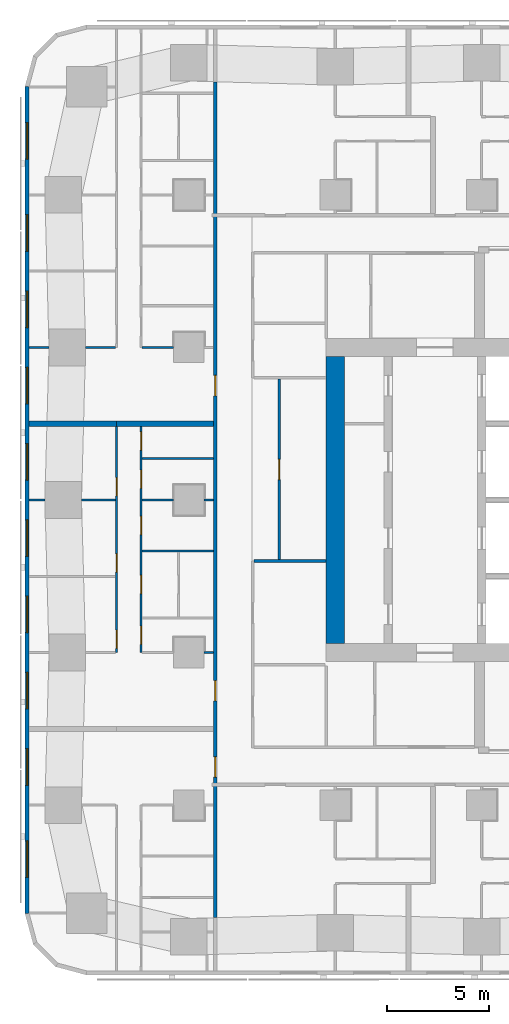
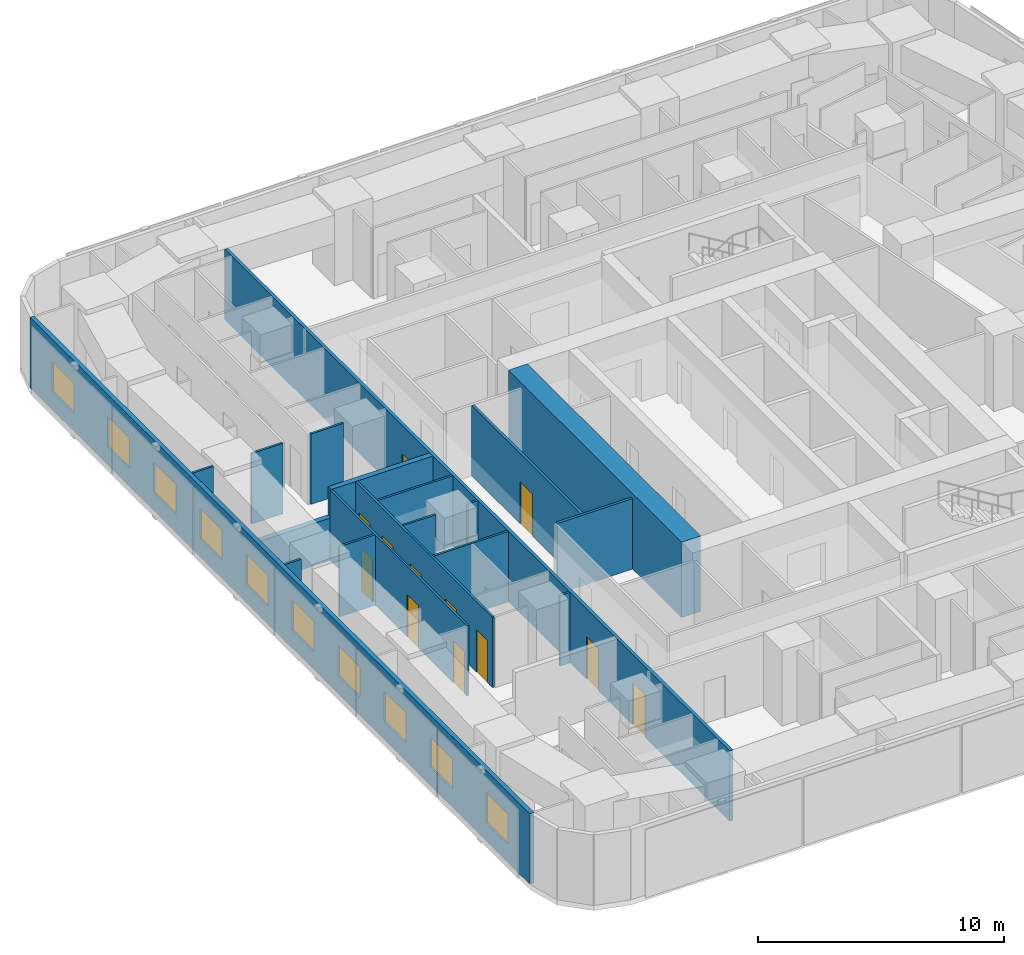
# One storey, part 5 of 15: 19 walls, 12 doors, 10 windows, 22 openings.
"""IFC4 building model written with IfcOpenShell, lengths in metres."""

from ifc_helpers import new_model, si_unit, direction, frame, frame_2d, origin, place, context, subcontext, project, spatial, rectangle, extrude, material, layer, layer_set, type_object, element, fill, save


model = new_model("IFC4")

# Units and contexts
model_context = context("Model", 3, precision=1e-05, world=origin(), true_north=direction((0.0, 1.0)))
body_context = subcontext(model_context, "Body", "Model", "MODEL_VIEW")
ifc_project = project(units=[si_unit("LENGTHUNIT", "METRE"), si_unit("AREAUNIT", "SQUARE_METRE"), si_unit("VOLUMEUNIT", "CUBIC_METRE"), si_unit("PLANEANGLEUNIT", "RADIAN"), si_unit("MASSUNIT", "GRAM", prefix="KILO")], contexts=[model_context])

# Site, building, storey
site_placement = place(None, origin())
site = spatial("IfcSite", under=ifc_project, at=site_placement, CompositionType="ELEMENT")
building_placement = place(site_placement, origin())
building = spatial("IfcBuilding", under=site, at=building_placement, Name="Sheger Commons Tower", CompositionType="ELEMENT")
storey_placement = place(building_placement, frame((0.0, 0.0, 165.800048828125)))
storey = spatial("IfcBuildingStorey", under=building, at=storey_placement, Name="L42", CompositionType="ELEMENT", Elevation=165.800048828125)

# Wall
ifc_material_1 = material(Name="Concrete C50/60", Category="concrete")
ifc_layer_1 = layer(ifc_material_1, 0.89990234375)
ifc_layer_set_1 = layer_set([ifc_layer_1], Name="CORE WALL 900")
wall_type_1 = type_object("IfcWallType", Name="CORE WALL 900", PredefinedType="SHEAR", material=ifc_layer_set_1)
wall_1_placement = place(storey_placement, frame((14.39990234375, 15.449951171875, 0.0), z_axis=(0.0, 0.0, 1.0), x_axis=(0.0, 1.0, 0.0)))
element("IfcWall", 1, at=wall_1_placement, inside=storey, type_object=wall_type_1, Name="Core wall west L42", PredefinedType="SHEAR", context=body_context, shape_type="SweptSolid", body=[
    extrude(rectangle(XDim=14.10009765625, YDim=0.89990234375, at=frame_2d((7.050048828125, 0.0))), origin(), (0.0, 0.0, 1.0), 3.75),
])

# Wall, openings, doors
ifc_material_2 = material(Name="Hollow concrete block masonry, skimmed both sides", Category="masonry")
ifc_layer_2 = layer(ifc_material_2, 0.14990234375)
ifc_layer_set_2 = layer_set([ifc_layer_2], Name="CORRIDOR WALL 150")
wall_type_2 = type_object("IfcWallType", Name="CORRIDOR WALL 150", PredefinedType="SOLIDWALL", material=ifc_layer_set_2)
wall_2_placement = place(storey_placement, frame((8.5, 1.964111328125, 0.0), z_axis=(0.0, 0.0, 1.0), x_axis=(0.0, 1.0, 0.0)))
wall_2 = element("IfcWall", 2, at=wall_2_placement, inside=storey, type_object=wall_type_2, Name="Corridor wall L42", PredefinedType="SOLIDWALL", context=body_context, shape_type="SweptSolid", body=[
    extrude(rectangle(XDim=41.096923828125, YDim=0.14990234375, at=frame_2d((20.54833984375, 0.0))), origin(), (0.0, 0.0, 1.0), 3.5),
])
opening_1_placement = place(wall_2_placement, frame((6.910888671875, 0.0, 0.0)))
opening_1 = element("IfcOpeningElement", 3, at=opening_1_placement, cuts=wall_2, Name="Opening D1", PredefinedType="OPENING", context=body_context, shape_type="SweptSolid", body=[
    extrude(rectangle(XDim=1.0, YDim=2.10009765625, at=frame_2d((0.5, 1.050048828125))), frame((0.0, 0.0849609375, 0.0), z_axis=(0.0, -1.0, 0.0), x_axis=(1.0, 0.0, 0.0)), (0.0, 0.0, 1.0), 0.169921875),
])
opening_2_placement = place(wall_2_placement, frame((10.660888671875, 0.0, 0.0)))
opening_2 = element("IfcOpeningElement", 4, at=opening_2_placement, cuts=wall_2, Name="Opening D1", PredefinedType="OPENING", context=body_context, shape_type="SweptSolid", body=[
    extrude(rectangle(XDim=1.0, YDim=2.10009765625, at=frame_2d((0.5, 1.050048828125))), frame((0.0, 0.0849609375, 0.0), z_axis=(0.0, -1.0, 0.0), x_axis=(1.0, 0.0, 0.0)), (0.0, 0.0, 1.0), 0.169921875),
])
opening_3_placement = place(wall_2_placement, frame((25.660888671875, 0.0, 0.0)))
opening_3 = element("IfcOpeningElement", 5, at=opening_3_placement, cuts=wall_2, Name="Opening D1", PredefinedType="OPENING", context=body_context, shape_type="SweptSolid", body=[
    extrude(rectangle(XDim=1.0, YDim=2.10009765625, at=frame_2d((0.5, 1.050048828125))), frame((0.0, 0.0849609375, 0.0), z_axis=(0.0, -1.0, 0.0), x_axis=(1.0, 0.0, 0.0)), (0.0, 0.0, 1.0), 0.169921875),
])
ifc_material_3 = material(Name="Steel door set, fire rated", Category="steel")
door_type_1 = type_object("IfcDoorType", Name="FLAT ENTRANCE DOOR 1000x2100", OperationType="NOTDEFINED", PredefinedType="DOOR", material=ifc_material_3)
door_1_placement = place(opening_1_placement, origin())
door_1 = element("IfcDoor", 6, at=door_1_placement, inside=storey, type_object=door_type_1, Name="Flat entrance door", OperationType="SINGLE_SWING_LEFT", OverallHeight=2.10009765625, OverallWidth=1.0, PredefinedType="DOOR", context=body_context, shape_type="SweptSolid", body=[
    extrude(rectangle(XDim=1.0, YDim=2.10009765625, at=frame_2d((0.5, 1.050048828125))), frame((0.0, 0.02490234375, 0.0), z_axis=(0.0, -1.0, 0.0), x_axis=(1.0, 0.0, 0.0)), (0.0, 0.0, 1.0), 0.050048828125),
])
fill(opening_1, door_1)
door_2_placement = place(opening_2_placement, origin())
door_2 = element("IfcDoor", 7, at=door_2_placement, inside=storey, type_object=door_type_1, Name="Flat entrance door", OperationType="SINGLE_SWING_RIGHT", OverallHeight=2.10009765625, OverallWidth=1.0, PredefinedType="DOOR", context=body_context, shape_type="SweptSolid", body=[
    extrude(rectangle(XDim=1.0, YDim=2.10009765625, at=frame_2d((0.5, 1.050048828125))), frame((0.0, 0.02490234375, 0.0), z_axis=(0.0, -1.0, 0.0), x_axis=(1.0, 0.0, 0.0)), (0.0, 0.0, 1.0), 0.050048828125),
])
fill(opening_2, door_2)
door_3_placement = place(opening_3_placement, origin())
door_3 = element("IfcDoor", 8, at=door_3_placement, inside=storey, type_object=door_type_1, Name="Flat entrance door", OperationType="SINGLE_SWING_LEFT", OverallHeight=2.10009765625, OverallWidth=1.0, PredefinedType="DOOR", context=body_context, shape_type="SweptSolid", body=[
    extrude(rectangle(XDim=1.0, YDim=2.10009765625, at=frame_2d((0.5, 1.050048828125))), frame((0.0, 0.02490234375, 0.0), z_axis=(0.0, -1.0, 0.0), x_axis=(1.0, 0.0, 0.0)), (0.0, 0.0, 1.0), 0.050048828125),
])
fill(opening_3, door_3)

# Walls
ifc_material_4 = material(Name="Dense concrete block masonry, plastered both sides (separating wall between flats)", Category="masonry")
ifc_layer_3 = layer(ifc_material_4, 0.25)
ifc_layer_set_3 = layer_set([ifc_layer_3], Name="DEMISING WALL 250")
wall_type_3 = type_object("IfcWallType", Name="DEMISING WALL 250", PredefinedType="SOLIDWALL", material=ifc_layer_set_3)
wall_3_placement = place(storey_placement, frame((-0.64990234375, 26.25, 0.0), z_axis=(0.0, 0.0, 1.0), x_axis=(1.0, 0.0, 0.0)))
element("IfcWall", 9, at=wall_3_placement, inside=storey, type_object=wall_type_3, Name="Demising wall L42", PredefinedType="SOLIDWALL", context=body_context, shape_type="SweptSolid", body=[
    extrude(rectangle(XDim=4.2998046875, YDim=0.25, at=frame_2d((2.14990234375, 0.0))), origin(), (0.0, 0.0, 1.0), 2.099853515625),
])
wall_4_placement = place(storey_placement, frame((3.64990234375, 26.25, 0.0), z_axis=(0.0, 0.0, 1.0), x_axis=(1.0, 0.0, 0.0)))
element("IfcWall", 10, at=wall_4_placement, inside=storey, type_object=wall_type_3, Name="Demising wall L42", PredefinedType="SOLIDWALL", context=body_context, shape_type="SweptSolid", body=[
    extrude(rectangle(XDim=4.775146484375, YDim=0.25, at=frame_2d((2.3876953125, 0.0))), origin(), (0.0, 0.0, 1.0), 3.5),
])

# Wall, openings, windows
ifc_material_5 = material(Name="Rendered concrete block masonry, dark grey", Category="masonry")
ifc_layer_4 = layer(ifc_material_5, 0.199951171875)
ifc_layer_set_4 = layer_set([ifc_layer_4], Name="FACADE WALL 200")
wall_type_4 = type_object("IfcWallType", Name="FACADE WALL 200", PredefinedType="SOLIDWALL", material=ifc_layer_set_4)
wall_5_placement = place(storey_placement, frame((-0.75, 42.8369140625, 0.0), z_axis=(0.0, 0.0, 1.0), x_axis=(0.0, -1.0, 0.0)))
wall_5 = element("IfcWall", 11, at=wall_5_placement, inside=storey, type_object=wall_type_4, Name="Facade wall L42", PredefinedType="SOLIDWALL", context=body_context, shape_type="SweptSolid", body=[
    extrude(rectangle(XDim=40.673828125, YDim=0.199951171875, at=frame_2d((20.3369140625, 0.0))), origin(), (0.0, 0.0, 1.0), 3.5),
])
opening_4_placement = place(wall_5_placement, frame((1.780029296875, 0.0, 0.89990234375)))
opening_4 = element("IfcOpeningElement", 12, at=opening_4_placement, cuts=wall_5, Name="Opening W2", PredefinedType="OPENING", context=body_context, shape_type="SweptSolid", body=[
    extrude(rectangle(XDim=1.800048828125, YDim=1.5, at=frame_2d((0.89990234375, 0.75))), frame((0.0, 0.10986328125, 0.0), z_axis=(0.0, -1.0, 0.0), x_axis=(1.0, 0.0, 0.0)), (0.0, 0.0, 1.0), 0.219970703125),
])
opening_5_placement = place(wall_5_placement, frame((6.31201171875, 0.0, 0.89990234375)))
opening_5 = element("IfcOpeningElement", 13, at=opening_5_placement, cuts=wall_5, Name="Opening W2", PredefinedType="OPENING", context=body_context, shape_type="SweptSolid", body=[
    extrude(rectangle(XDim=1.800048828125, YDim=1.5, at=frame_2d((0.89990234375, 0.75))), frame((0.0, 0.10986328125, 0.0), z_axis=(0.0, -1.0, 0.0), x_axis=(1.0, 0.0, 0.0)), (0.0, 0.0, 1.0), 0.219970703125),
])
opening_6_placement = place(wall_5_placement, frame((10.06201171875, 0.0, 0.89990234375)))
opening_6 = element("IfcOpeningElement", 14, at=opening_6_placement, cuts=wall_5, Name="Opening W2", PredefinedType="OPENING", context=body_context, shape_type="SweptSolid", body=[
    extrude(rectangle(XDim=1.800048828125, YDim=1.5, at=frame_2d((0.89990234375, 0.75))), frame((0.0, 0.10986328125, 0.0), z_axis=(0.0, -1.0, 0.0), x_axis=(1.0, 0.0, 0.0)), (0.0, 0.0, 1.0), 0.219970703125),
])
opening_7_placement = place(wall_5_placement, frame((13.81201171875, 0.0, 0.89990234375)))
opening_7 = element("IfcOpeningElement", 15, at=opening_7_placement, cuts=wall_5, Name="Opening W2", PredefinedType="OPENING", context=body_context, shape_type="SweptSolid", body=[
    extrude(rectangle(XDim=1.800048828125, YDim=1.5, at=frame_2d((0.89990234375, 0.75))), frame((0.0, 0.10986328125, 0.0), z_axis=(0.0, -1.0, 0.0), x_axis=(1.0, 0.0, 0.0)), (0.0, 0.0, 1.0), 0.219970703125),
])
opening_8_placement = place(wall_5_placement, frame((17.56201171875, 0.0, 0.89990234375)))
opening_8 = element("IfcOpeningElement", 16, at=opening_8_placement, cuts=wall_5, Name="Opening W2", PredefinedType="OPENING", context=body_context, shape_type="SweptSolid", body=[
    extrude(rectangle(XDim=1.800048828125, YDim=1.5, at=frame_2d((0.89990234375, 0.75))), frame((0.0, 0.10986328125, 0.0), z_axis=(0.0, -1.0, 0.0), x_axis=(1.0, 0.0, 0.0)), (0.0, 0.0, 1.0), 0.219970703125),
])
opening_9_placement = place(wall_5_placement, frame((21.31201171875, 0.0, 0.89990234375)))
opening_9 = element("IfcOpeningElement", 17, at=opening_9_placement, cuts=wall_5, Name="Opening W2", PredefinedType="OPENING", context=body_context, shape_type="SweptSolid", body=[
    extrude(rectangle(XDim=1.800048828125, YDim=1.5, at=frame_2d((0.89990234375, 0.75))), frame((0.0, 0.10986328125, 0.0), z_axis=(0.0, -1.0, 0.0), x_axis=(1.0, 0.0, 0.0)), (0.0, 0.0, 1.0), 0.219970703125),
])
opening_10_placement = place(wall_5_placement, frame((25.06201171875, 0.0, 0.89990234375)))
opening_10 = element("IfcOpeningElement", 18, at=opening_10_placement, cuts=wall_5, Name="Opening W2", PredefinedType="OPENING", context=body_context, shape_type="SweptSolid", body=[
    extrude(rectangle(XDim=1.800048828125, YDim=1.5, at=frame_2d((0.89990234375, 0.75))), frame((0.0, 0.10986328125, 0.0), z_axis=(0.0, -1.0, 0.0), x_axis=(1.0, 0.0, 0.0)), (0.0, 0.0, 1.0), 0.219970703125),
])
opening_11_placement = place(wall_5_placement, frame((28.81201171875, 0.0, 0.89990234375)))
opening_11 = element("IfcOpeningElement", 19, at=opening_11_placement, cuts=wall_5, Name="Opening W2", PredefinedType="OPENING", context=body_context, shape_type="SweptSolid", body=[
    extrude(rectangle(XDim=1.800048828125, YDim=1.5, at=frame_2d((0.89990234375, 0.75))), frame((0.0, 0.10986328125, 0.0), z_axis=(0.0, -1.0, 0.0), x_axis=(1.0, 0.0, 0.0)), (0.0, 0.0, 1.0), 0.219970703125),
])
opening_12_placement = place(wall_5_placement, frame((32.56201171875, 0.0, 0.89990234375)))
opening_12 = element("IfcOpeningElement", 20, at=opening_12_placement, cuts=wall_5, Name="Opening W2", PredefinedType="OPENING", context=body_context, shape_type="SweptSolid", body=[
    extrude(rectangle(XDim=1.800048828125, YDim=1.5, at=frame_2d((0.89990234375, 0.75))), frame((0.0, 0.10986328125, 0.0), z_axis=(0.0, -1.0, 0.0), x_axis=(1.0, 0.0, 0.0)), (0.0, 0.0, 1.0), 0.219970703125),
])
opening_13_placement = place(wall_5_placement, frame((37.093994140625, 0.0, 0.89990234375)))
opening_13 = element("IfcOpeningElement", 21, at=opening_13_placement, cuts=wall_5, Name="Opening W2", PredefinedType="OPENING", context=body_context, shape_type="SweptSolid", body=[
    extrude(rectangle(XDim=1.800048828125, YDim=1.5, at=frame_2d((0.89990234375, 0.75))), frame((0.0, 0.10986328125, 0.0), z_axis=(0.0, -1.0, 0.0), x_axis=(1.0, 0.0, 0.0)), (0.0, 0.0, 1.0), 0.219970703125),
])
ifc_material_6 = material(Name="Black aluminium frame, dark tinted double glazing", Category="aluminium")
window_type = type_object("IfcWindowType", Name="WINDOW W2 1800x1500", PartitioningType="SINGLE_PANEL", PredefinedType="WINDOW", material=ifc_material_6)
window_1_placement = place(opening_4_placement, origin())
window_1 = element("IfcWindow", 22, at=window_1_placement, inside=storey, type_object=window_type, Name="Window W2 1800X1500", OverallHeight=1.5, OverallWidth=1.800048828125, PartitioningType="SINGLE_PANEL", PredefinedType="WINDOW", context=body_context, shape_type="SweptSolid", body=[
    extrude(rectangle(XDim=1.800048828125, YDim=1.5, at=frame_2d((0.89990234375, 0.75))), frame((0.0, 0.030029296875, 0.0), z_axis=(0.0, -1.0, 0.0), x_axis=(1.0, 0.0, 0.0)), (0.0, 0.0, 1.0), 0.06005859375),
])
fill(opening_4, window_1)
window_2_placement = place(opening_5_placement, origin())
window_2 = element("IfcWindow", 23, at=window_2_placement, inside=storey, type_object=window_type, Name="Window W2 1800X1500", OverallHeight=1.5, OverallWidth=1.800048828125, PartitioningType="SINGLE_PANEL", PredefinedType="WINDOW", context=body_context, shape_type="SweptSolid", body=[
    extrude(rectangle(XDim=1.800048828125, YDim=1.5, at=frame_2d((0.89990234375, 0.75))), frame((0.0, 0.030029296875, 0.0), z_axis=(0.0, -1.0, 0.0), x_axis=(1.0, 0.0, 0.0)), (0.0, 0.0, 1.0), 0.06005859375),
])
fill(opening_5, window_2)
window_3_placement = place(opening_6_placement, origin())
window_3 = element("IfcWindow", 24, at=window_3_placement, inside=storey, type_object=window_type, Name="Window W2 1800X1500", OverallHeight=1.5, OverallWidth=1.800048828125, PartitioningType="SINGLE_PANEL", PredefinedType="WINDOW", context=body_context, shape_type="SweptSolid", body=[
    extrude(rectangle(XDim=1.800048828125, YDim=1.5, at=frame_2d((0.89990234375, 0.75))), frame((0.0, 0.030029296875, 0.0), z_axis=(0.0, -1.0, 0.0), x_axis=(1.0, 0.0, 0.0)), (0.0, 0.0, 1.0), 0.06005859375),
])
fill(opening_6, window_3)
window_4_placement = place(opening_7_placement, origin())
window_4 = element("IfcWindow", 25, at=window_4_placement, inside=storey, type_object=window_type, Name="Window W2 1800X1500", OverallHeight=1.5, OverallWidth=1.800048828125, PartitioningType="SINGLE_PANEL", PredefinedType="WINDOW", context=body_context, shape_type="SweptSolid", body=[
    extrude(rectangle(XDim=1.800048828125, YDim=1.5, at=frame_2d((0.89990234375, 0.75))), frame((0.0, 0.030029296875, 0.0), z_axis=(0.0, -1.0, 0.0), x_axis=(1.0, 0.0, 0.0)), (0.0, 0.0, 1.0), 0.06005859375),
])
fill(opening_7, window_4)
window_5_placement = place(opening_8_placement, origin())
window_5 = element("IfcWindow", 26, at=window_5_placement, inside=storey, type_object=window_type, Name="Window W2 1800X1500", OverallHeight=1.5, OverallWidth=1.800048828125, PartitioningType="SINGLE_PANEL", PredefinedType="WINDOW", context=body_context, shape_type="SweptSolid", body=[
    extrude(rectangle(XDim=1.800048828125, YDim=1.5, at=frame_2d((0.89990234375, 0.75))), frame((0.0, 0.030029296875, 0.0), z_axis=(0.0, -1.0, 0.0), x_axis=(1.0, 0.0, 0.0)), (0.0, 0.0, 1.0), 0.06005859375),
])
fill(opening_8, window_5)
window_6_placement = place(opening_9_placement, origin())
window_6 = element("IfcWindow", 27, at=window_6_placement, inside=storey, type_object=window_type, Name="Window W2 1800X1500", OverallHeight=1.5, OverallWidth=1.800048828125, PartitioningType="SINGLE_PANEL", PredefinedType="WINDOW", context=body_context, shape_type="SweptSolid", body=[
    extrude(rectangle(XDim=1.800048828125, YDim=1.5, at=frame_2d((0.89990234375, 0.75))), frame((0.0, 0.030029296875, 0.0), z_axis=(0.0, -1.0, 0.0), x_axis=(1.0, 0.0, 0.0)), (0.0, 0.0, 1.0), 0.06005859375),
])
fill(opening_9, window_6)
window_7_placement = place(opening_10_placement, origin())
window_7 = element("IfcWindow", 28, at=window_7_placement, inside=storey, type_object=window_type, Name="Window W2 1800X1500", OverallHeight=1.5, OverallWidth=1.800048828125, PartitioningType="SINGLE_PANEL", PredefinedType="WINDOW", context=body_context, shape_type="SweptSolid", body=[
    extrude(rectangle(XDim=1.800048828125, YDim=1.5, at=frame_2d((0.89990234375, 0.75))), frame((0.0, 0.030029296875, 0.0), z_axis=(0.0, -1.0, 0.0), x_axis=(1.0, 0.0, 0.0)), (0.0, 0.0, 1.0), 0.06005859375),
])
fill(opening_10, window_7)
window_8_placement = place(opening_11_placement, origin())
window_8 = element("IfcWindow", 29, at=window_8_placement, inside=storey, type_object=window_type, Name="Window W2 1800X1500", OverallHeight=1.5, OverallWidth=1.800048828125, PartitioningType="SINGLE_PANEL", PredefinedType="WINDOW", context=body_context, shape_type="SweptSolid", body=[
    extrude(rectangle(XDim=1.800048828125, YDim=1.5, at=frame_2d((0.89990234375, 0.75))), frame((0.0, 0.030029296875, 0.0), z_axis=(0.0, -1.0, 0.0), x_axis=(1.0, 0.0, 0.0)), (0.0, 0.0, 1.0), 0.06005859375),
])
fill(opening_11, window_8)
window_9_placement = place(opening_12_placement, origin())
window_9 = element("IfcWindow", 30, at=window_9_placement, inside=storey, type_object=window_type, Name="Window W2 1800X1500", OverallHeight=1.5, OverallWidth=1.800048828125, PartitioningType="SINGLE_PANEL", PredefinedType="WINDOW", context=body_context, shape_type="SweptSolid", body=[
    extrude(rectangle(XDim=1.800048828125, YDim=1.5, at=frame_2d((0.89990234375, 0.75))), frame((0.0, 0.030029296875, 0.0), z_axis=(0.0, -1.0, 0.0), x_axis=(1.0, 0.0, 0.0)), (0.0, 0.0, 1.0), 0.06005859375),
])
fill(opening_12, window_9)
window_10_placement = place(opening_13_placement, origin())
window_10 = element("IfcWindow", 31, at=window_10_placement, inside=storey, type_object=window_type, Name="Window W2 1800X1500", OverallHeight=1.5, OverallWidth=1.800048828125, PartitioningType="SINGLE_PANEL", PredefinedType="WINDOW", context=body_context, shape_type="SweptSolid", body=[
    extrude(rectangle(XDim=1.800048828125, YDim=1.5, at=frame_2d((0.89990234375, 0.75))), frame((0.0, 0.030029296875, 0.0), z_axis=(0.0, -1.0, 0.0), x_axis=(1.0, 0.0, 0.0)), (0.0, 0.0, 1.0), 0.06005859375),
])
fill(opening_13, window_10)

# Wall, openings, doors
ifc_material_7 = material(Name="Gypsum board on steel studs", Category="steel")
ifc_layer_5 = layer(ifc_material_7, 0.10009765625)
ifc_layer_set_5 = layer_set([ifc_layer_5], Name="PARTITION 100")
wall_type_5 = type_object("IfcWallType", Name="PARTITION 100", PredefinedType="PARTITIONING", material=ifc_layer_set_5)
wall_6_placement = place(storey_placement, frame((3.64990234375, 15.0, 0.0), z_axis=(0.0, 0.0, 1.0), x_axis=(0.0, 1.0, 0.0)))
wall_6 = element("IfcWall", 32, at=wall_6_placement, inside=storey, type_object=wall_type_5, Name="Partition L42", PredefinedType="PARTITIONING", context=body_context, shape_type="SweptSolid", body=[
    extrude(rectangle(XDim=11.125, YDim=0.10009765625, at=frame_2d((5.5625, 0.0))), origin(), (0.0, 0.0, 1.0), 3.5),
])
opening_14_placement = place(wall_6_placement, frame((0.199951171875, 0.0, 0.0)))
opening_14 = element("IfcOpeningElement", 33, at=opening_14_placement, cuts=wall_6, Name="Opening D2", PredefinedType="OPENING", context=body_context, shape_type="SweptSolid", body=[
    extrude(rectangle(XDim=0.89990234375, YDim=2.10009765625, at=frame_2d((0.449951171875, 1.050048828125))), frame((0.0, 0.06005859375, 0.0), z_axis=(0.0, -1.0, 0.0), x_axis=(1.0, 0.0, 0.0)), (0.0, 0.0, 1.0), 0.1201171875),
])
opening_15_placement = place(wall_6_placement, frame((3.949951171875, 0.0, 0.0)))
opening_15 = element("IfcOpeningElement", 34, at=opening_15_placement, cuts=wall_6, Name="Opening D2", PredefinedType="OPENING", context=body_context, shape_type="SweptSolid", body=[
    extrude(rectangle(XDim=0.89990234375, YDim=2.10009765625, at=frame_2d((0.449951171875, 1.050048828125))), frame((0.0, 0.06005859375, 0.0), z_axis=(0.0, -1.0, 0.0), x_axis=(1.0, 0.0, 0.0)), (0.0, 0.0, 1.0), 0.1201171875),
])
opening_16_placement = place(wall_6_placement, frame((7.699951171875, 0.0, 0.0)))
opening_16 = element("IfcOpeningElement", 35, at=opening_16_placement, cuts=wall_6, Name="Opening D2", PredefinedType="OPENING", context=body_context, shape_type="SweptSolid", body=[
    extrude(rectangle(XDim=0.89990234375, YDim=2.10009765625, at=frame_2d((0.449951171875, 1.050048828125))), frame((0.0, 0.06005859375, 0.0), z_axis=(0.0, -1.0, 0.0), x_axis=(1.0, 0.0, 0.0)), (0.0, 0.0, 1.0), 0.1201171875),
])
ifc_material_8 = material(Name="Timber door set", Category="wood")
door_type_2 = type_object("IfcDoorType", Name="INTERNAL DOOR 900x2100", OperationType="NOTDEFINED", PredefinedType="DOOR", material=ifc_material_8)
door_4_placement = place(opening_14_placement, origin())
door_4 = element("IfcDoor", 36, at=door_4_placement, inside=storey, type_object=door_type_2, Name="Main bedroom door", OperationType="SINGLE_SWING_LEFT", OverallHeight=2.10009765625, OverallWidth=0.89990234375, PredefinedType="DOOR", context=body_context, shape_type="SweptSolid", body=[
    extrude(rectangle(XDim=0.89990234375, YDim=2.10009765625, at=frame_2d((0.449951171875, 1.050048828125))), frame((0.0, 0.02490234375, 0.0), z_axis=(0.0, -1.0, 0.0), x_axis=(1.0, 0.0, 0.0)), (0.0, 0.0, 1.0), 0.050048828125),
])
fill(opening_14, door_4)
door_5_placement = place(opening_15_placement, origin())
door_5 = element("IfcDoor", 37, at=door_5_placement, inside=storey, type_object=door_type_2, Name="Bedroom 2 door", OperationType="SINGLE_SWING_LEFT", OverallHeight=2.10009765625, OverallWidth=0.89990234375, PredefinedType="DOOR", context=body_context, shape_type="SweptSolid", body=[
    extrude(rectangle(XDim=0.89990234375, YDim=2.10009765625, at=frame_2d((0.449951171875, 1.050048828125))), frame((0.0, 0.02490234375, 0.0), z_axis=(0.0, -1.0, 0.0), x_axis=(1.0, 0.0, 0.0)), (0.0, 0.0, 1.0), 0.050048828125),
])
fill(opening_15, door_5)
door_6_placement = place(opening_16_placement, origin())
door_6 = element("IfcDoor", 38, at=door_6_placement, inside=storey, type_object=door_type_2, Name="Bedroom 3 door", OperationType="SINGLE_SWING_LEFT", OverallHeight=2.10009765625, OverallWidth=0.89990234375, PredefinedType="DOOR", context=body_context, shape_type="SweptSolid", body=[
    extrude(rectangle(XDim=0.89990234375, YDim=2.10009765625, at=frame_2d((0.449951171875, 1.050048828125))), frame((0.0, 0.02490234375, 0.0), z_axis=(0.0, -1.0, 0.0), x_axis=(1.0, 0.0, 0.0)), (0.0, 0.0, 1.0), 0.050048828125),
])
fill(opening_16, door_6)

wall_7_placement = place(storey_placement, frame((4.85009765625, 15.0, 0.0), z_axis=(0.0, 0.0, 1.0), x_axis=(0.0, 1.0, 0.0)))
wall_7 = element("IfcWall", 39, at=wall_7_placement, inside=storey, type_object=wall_type_5, Name="Partition L42", PredefinedType="PARTITIONING", context=body_context, shape_type="SweptSolid", body=[
    extrude(rectangle(XDim=11.125, YDim=0.10009765625, at=frame_2d((5.5625, 0.0))), origin(), (0.0, 0.0, 1.0), 3.5),
])
opening_17_placement = place(wall_7_placement, frame((0.39990234375, 0.0, 0.0)))
opening_17 = element("IfcOpeningElement", 40, at=opening_17_placement, cuts=wall_7, Name="Opening D2", PredefinedType="OPENING", context=body_context, shape_type="SweptSolid", body=[
    extrude(rectangle(XDim=0.89990234375, YDim=2.10009765625, at=frame_2d((0.449951171875, 1.050048828125))), frame((0.0, 0.06005859375, 0.0), z_axis=(0.0, -1.0, 0.0), x_axis=(1.0, 0.0, 0.0)), (0.0, 0.0, 1.0), 0.1201171875),
])
opening_18_placement = place(wall_7_placement, frame((5.799072265625, 0.0, 0.0)))
opening_18 = element("IfcOpeningElement", 41, at=opening_18_placement, cuts=wall_7, Name="Opening D2", PredefinedType="OPENING", context=body_context, shape_type="SweptSolid", body=[
    extrude(rectangle(XDim=0.89990234375, YDim=2.10009765625, at=frame_2d((0.449951171875, 1.050048828125))), frame((0.0, 0.06005859375, 0.0), z_axis=(0.0, -1.0, 0.0), x_axis=(1.0, 0.0, 0.0)), (0.0, 0.0, 1.0), 0.1201171875),
])
opening_19_placement = place(wall_7_placement, frame((8.074951171875, 0.0, 0.0)))
opening_19 = element("IfcOpeningElement", 42, at=opening_19_placement, cuts=wall_7, Name="Opening D2", PredefinedType="OPENING", context=body_context, shape_type="SweptSolid", body=[
    extrude(rectangle(XDim=0.89990234375, YDim=2.10009765625, at=frame_2d((0.449951171875, 1.050048828125))), frame((0.0, 0.06005859375, 0.0), z_axis=(0.0, -1.0, 0.0), x_axis=(1.0, 0.0, 0.0)), (0.0, 0.0, 1.0), 0.1201171875),
])
opening_20_placement = place(wall_7_placement, frame((2.89892578125, 0.0, 0.0)))
opening_20 = element("IfcOpeningElement", 43, at=opening_20_placement, cuts=wall_7, Name="Opening D2", PredefinedType="OPENING", context=body_context, shape_type="SweptSolid", body=[
    extrude(rectangle(XDim=0.89990234375, YDim=2.10009765625, at=frame_2d((0.449951171875, 1.050048828125))), frame((0.0, 0.06005859375, 0.0), z_axis=(0.0, -1.0, 0.0), x_axis=(1.0, 0.0, 0.0)), (0.0, 0.0, 1.0), 0.1201171875),
])
opening_21_placement = place(wall_7_placement, frame((9.949951171875, 0.0, 0.0)))
opening_21 = element("IfcOpeningElement", 44, at=opening_21_placement, cuts=wall_7, Name="Opening D2", PredefinedType="OPENING", context=body_context, shape_type="SweptSolid", body=[
    extrude(rectangle(XDim=0.89990234375, YDim=2.10009765625, at=frame_2d((0.449951171875, 1.050048828125))), frame((0.0, 0.06005859375, 0.0), z_axis=(0.0, -1.0, 0.0), x_axis=(1.0, 0.0, 0.0)), (0.0, 0.0, 1.0), 0.1201171875),
])
door_7_placement = place(opening_17_placement, origin())
door_7 = element("IfcDoor", 45, at=door_7_placement, inside=storey, type_object=door_type_2, Name="Laundry room door", OperationType="SINGLE_SWING_RIGHT", OverallHeight=2.10009765625, OverallWidth=0.89990234375, PredefinedType="DOOR", context=body_context, shape_type="SweptSolid", body=[
    extrude(rectangle(XDim=0.89990234375, YDim=2.10009765625, at=frame_2d((0.449951171875, 1.050048828125))), frame((0.0, 0.02490234375, 0.0), z_axis=(0.0, -1.0, 0.0), x_axis=(1.0, 0.0, 0.0)), (0.0, 0.0, 1.0), 0.050048828125),
])
fill(opening_17, door_7)
door_8_placement = place(opening_18_placement, origin())
door_8 = element("IfcDoor", 46, at=door_8_placement, inside=storey, type_object=door_type_2, Name="Store and laundry door", OperationType="SINGLE_SWING_RIGHT", OverallHeight=2.10009765625, OverallWidth=0.89990234375, PredefinedType="DOOR", context=body_context, shape_type="SweptSolid", body=[
    extrude(rectangle(XDim=0.89990234375, YDim=2.10009765625, at=frame_2d((0.449951171875, 1.050048828125))), frame((0.0, 0.02490234375, 0.0), z_axis=(0.0, -1.0, 0.0), x_axis=(1.0, 0.0, 0.0)), (0.0, 0.0, 1.0), 0.050048828125),
])
fill(opening_18, door_8)
door_9_placement = place(opening_19_placement, origin())
door_9 = element("IfcDoor", 47, at=door_9_placement, inside=storey, type_object=door_type_2, Name="Bathroom door", OperationType="SINGLE_SWING_RIGHT", OverallHeight=2.10009765625, OverallWidth=0.89990234375, PredefinedType="DOOR", context=body_context, shape_type="SweptSolid", body=[
    extrude(rectangle(XDim=0.89990234375, YDim=2.10009765625, at=frame_2d((0.449951171875, 1.050048828125))), frame((0.0, 0.02490234375, 0.0), z_axis=(0.0, -1.0, 0.0), x_axis=(1.0, 0.0, 0.0)), (0.0, 0.0, 1.0), 0.050048828125),
])
fill(opening_19, door_9)
door_10_placement = place(opening_20_placement, origin())
door_10 = element("IfcDoor", 48, at=door_10_placement, inside=storey, type_object=door_type_2, Name="Store door", OperationType="SINGLE_SWING_LEFT", OverallHeight=2.10009765625, OverallWidth=0.89990234375, PredefinedType="DOOR", context=body_context, shape_type="SweptSolid", body=[
    extrude(rectangle(XDim=0.89990234375, YDim=2.10009765625, at=frame_2d((0.449951171875, 1.050048828125))), frame((0.0, 0.02490234375, 0.0), z_axis=(0.0, -1.0, 0.0), x_axis=(1.0, 0.0, 0.0)), (0.0, 0.0, 1.0), 0.050048828125),
])
fill(opening_20, door_10)
door_11_placement = place(opening_21_placement, origin())
door_11 = element("IfcDoor", 49, at=door_11_placement, inside=storey, type_object=door_type_2, Name="Store door", OperationType="SINGLE_SWING_LEFT", OverallHeight=2.10009765625, OverallWidth=0.89990234375, PredefinedType="DOOR", context=body_context, shape_type="SweptSolid", body=[
    extrude(rectangle(XDim=0.89990234375, YDim=2.10009765625, at=frame_2d((0.449951171875, 1.050048828125))), frame((0.0, 0.02490234375, 0.0), z_axis=(0.0, -1.0, 0.0), x_axis=(1.0, 0.0, 0.0)), (0.0, 0.0, 1.0), 0.050048828125),
])
fill(opening_21, door_11)

# Walls
wall_8_placement = place(storey_placement, frame((-0.64990234375, 22.5, 0.0), z_axis=(0.0, 0.0, 1.0), x_axis=(1.0, 0.0, 0.0)))
element("IfcWall", 50, at=wall_8_placement, inside=storey, type_object=wall_type_5, Name="Partition L42", PredefinedType="PARTITIONING", context=body_context, shape_type="SweptSolid", body=[
    extrude(rectangle(XDim=0.77392578125, YDim=0.10009765625, at=frame_2d((0.386962890625, 0.0))), origin(), (0.0, 0.0, 1.0), 3.5),
])
wall_9_placement = place(storey_placement, frame((1.926025390625, 22.5, 0.0), z_axis=(0.0, 0.0, 1.0), x_axis=(1.0, 0.0, 0.0)))
element("IfcWall", 51, at=wall_9_placement, inside=storey, type_object=wall_type_5, Name="Partition L42", PredefinedType="PARTITIONING", context=body_context, shape_type="SweptSolid", body=[
    extrude(rectangle(XDim=1.674072265625, YDim=0.10009765625, at=frame_2d((0.8369140625, 0.0))), origin(), (0.0, 0.0, 1.0), 3.5),
])
wall_10_placement = place(storey_placement, frame((7.950927734375, 15.0, 0.0), z_axis=(0.0, 0.0, 1.0), x_axis=(1.0, 0.0, 0.0)))
element("IfcWall", 52, at=wall_10_placement, inside=storey, type_object=wall_type_5, Name="Partition L42", PredefinedType="PARTITIONING", context=body_context, shape_type="SweptSolid", body=[
    extrude(rectangle(XDim=0.47412109375, YDim=0.10009765625, at=frame_2d((0.237060546875, 0.0))), origin(), (0.0, 0.0, 1.0), 3.5),
])
wall_11_placement = place(storey_placement, frame((4.89990234375, 19.9990234375, 0.0), z_axis=(0.0, 0.0, 1.0), x_axis=(1.0, 0.0, 0.0)))
element("IfcWall", 53, at=wall_11_placement, inside=storey, type_object=wall_type_5, Name="Partition L42", PredefinedType="PARTITIONING", context=body_context, shape_type="SweptSolid", body=[
    extrude(rectangle(XDim=3.525146484375, YDim=0.10009765625, at=frame_2d((1.7626953125, 0.0))), origin(), (0.0, 0.0, 1.0), 3.5),
])
wall_12_placement = place(storey_placement, frame((4.89990234375, 22.5, 0.0), z_axis=(0.0, 0.0, 1.0), x_axis=(1.0, 0.0, 0.0)))
element("IfcWall", 54, at=wall_12_placement, inside=storey, type_object=wall_type_5, Name="Partition L42", PredefinedType="PARTITIONING", context=body_context, shape_type="SweptSolid", body=[
    extrude(rectangle(XDim=1.549072265625, YDim=0.10009765625, at=frame_2d((0.7744140625, 0.0))), origin(), (0.0, 0.0, 1.0), 3.5),
])
wall_13_placement = place(storey_placement, frame((7.950927734375, 22.5, 0.0), z_axis=(0.0, 0.0, 1.0), x_axis=(1.0, 0.0, 0.0)))
element("IfcWall", 55, at=wall_13_placement, inside=storey, type_object=wall_type_5, Name="Partition L42", PredefinedType="PARTITIONING", context=body_context, shape_type="SweptSolid", body=[
    extrude(rectangle(XDim=0.47412109375, YDim=0.10009765625, at=frame_2d((0.237060546875, 0.0))), origin(), (0.0, 0.0, 1.0), 3.5),
])
wall_14_placement = place(storey_placement, frame((4.89990234375, 24.550048828125, 0.0), z_axis=(0.0, 0.0, 1.0), x_axis=(1.0, 0.0, 0.0)))
element("IfcWall", 56, at=wall_14_placement, inside=storey, type_object=wall_type_5, Name="Partition L42", PredefinedType="PARTITIONING", context=body_context, shape_type="SweptSolid", body=[
    extrude(rectangle(XDim=3.525146484375, YDim=0.10009765625, at=frame_2d((1.7626953125, 0.0))), origin(), (0.0, 0.0, 1.0), 3.5),
])
wall_15_placement = place(storey_placement, frame((-0.64990234375, 30.0, 0.0), z_axis=(0.0, 0.0, 1.0), x_axis=(1.0, 0.0, 0.0)))
element("IfcWall", 57, at=wall_15_placement, inside=storey, type_object=wall_type_5, Name="Partition L42", PredefinedType="PARTITIONING", context=body_context, shape_type="SweptSolid", body=[
    extrude(rectangle(XDim=0.973876953125, YDim=0.10009765625, at=frame_2d((0.48681640625, 0.0))), origin(), (0.0, 0.0, 1.0), 3.5),
])
wall_16_placement = place(storey_placement, frame((2.1259765625, 30.0, 0.0), z_axis=(0.0, 0.0, 1.0), x_axis=(1.0, 0.0, 0.0)))
element("IfcWall", 58, at=wall_16_placement, inside=storey, type_object=wall_type_5, Name="Partition L42", PredefinedType="PARTITIONING", context=body_context, shape_type="SweptSolid", body=[
    extrude(rectangle(XDim=1.47412109375, YDim=0.10009765625, at=frame_2d((0.737060546875, 0.0))), origin(), (0.0, 0.0, 1.0), 3.5),
])
wall_17_placement = place(storey_placement, frame((4.89990234375, 30.0, 0.0), z_axis=(0.0, 0.0, 1.0), x_axis=(1.0, 0.0, 0.0)))
element("IfcWall", 59, at=wall_17_placement, inside=storey, type_object=wall_type_5, Name="Partition L42", PredefinedType="PARTITIONING", context=body_context, shape_type="SweptSolid", body=[
    extrude(rectangle(XDim=1.549072265625, YDim=0.10009765625, at=frame_2d((0.7744140625, 0.0))), origin(), (0.0, 0.0, 1.0), 3.5),
])

# Wall, opening, door
ifc_material_9 = material(Name="Gypsum board on steel studs, two layers each side, fire rated", Category="steel")
ifc_layer_6 = layer(ifc_material_9, 0.125)
ifc_layer_set_6 = layer_set([ifc_layer_6], Name="SERVICE WALL 125")
wall_type_6 = type_object("IfcWallType", Name="SERVICE WALL 125", PredefinedType="PARTITIONING", material=ifc_layer_set_6)
wall_18_placement = place(storey_placement, frame((11.64990234375, 19.56201171875, 0.0), z_axis=(0.0, 0.0, 1.0), x_axis=(0.0, 1.0, 0.0)))
wall_18 = element("IfcWall", 60, at=wall_18_placement, inside=storey, type_object=wall_type_6, Name="Service room wall L42", PredefinedType="PARTITIONING", context=body_context, shape_type="SweptSolid", body=[
    extrude(rectangle(XDim=8.8759765625, YDim=0.125, at=frame_2d((4.43798828125, 0.0))), origin(), (0.0, 0.0, 1.0), 3.5),
])
opening_22_placement = place(wall_18_placement, frame((3.93798828125, 0.0, 0.0)))
opening_22 = element("IfcOpeningElement", 61, at=opening_22_placement, cuts=wall_18, Name="Opening D4", PredefinedType="OPENING", context=body_context, shape_type="SweptSolid", body=[
    extrude(rectangle(XDim=1.0, YDim=2.10009765625, at=frame_2d((0.5, 1.050048828125))), frame((0.0, 0.072509765625, 0.0), z_axis=(0.0, -1.0, 0.0), x_axis=(1.0, 0.0, 0.0)), (0.0, 0.0, 1.0), 0.14501953125),
])
ifc_material_10 = material(Name="Steel door set, fire rated", Category="steel")
door_type_3 = type_object("IfcDoorType", Name="SERVICE DOOR 1000x2100", OperationType="NOTDEFINED", PredefinedType="DOOR", material=ifc_material_10)
door_12_placement = place(opening_22_placement, origin())
door_12 = element("IfcDoor", 62, at=door_12_placement, inside=storey, type_object=door_type_3, Name="Residents' hobby room door", OperationType="SINGLE_SWING_LEFT", OverallHeight=2.10009765625, OverallWidth=1.0, PredefinedType="DOOR", context=body_context, shape_type="SweptSolid", body=[
    extrude(rectangle(XDim=1.0, YDim=2.10009765625, at=frame_2d((0.5, 1.050048828125))), frame((0.0, 0.02490234375, 0.0), z_axis=(0.0, -1.0, 0.0), x_axis=(1.0, 0.0, 0.0)), (0.0, 0.0, 1.0), 0.050048828125),
])
fill(opening_22, door_12)

# Wall
wall_19_placement = place(storey_placement, frame((10.4130859375, 19.5, 0.0), z_axis=(0.0, 0.0, 1.0), x_axis=(1.0, 0.0, 0.0)))
element("IfcWall", 63, at=wall_19_placement, inside=storey, type_object=wall_type_6, Name="Service room wall L42", PredefinedType="PARTITIONING", context=body_context, shape_type="SweptSolid", body=[
    extrude(rectangle(XDim=3.536865234375, YDim=0.125, at=frame_2d((1.7685546875, 0.0))), origin(), (0.0, 0.0, 1.0), 3.5),
])

save(model, "model.ifc")
